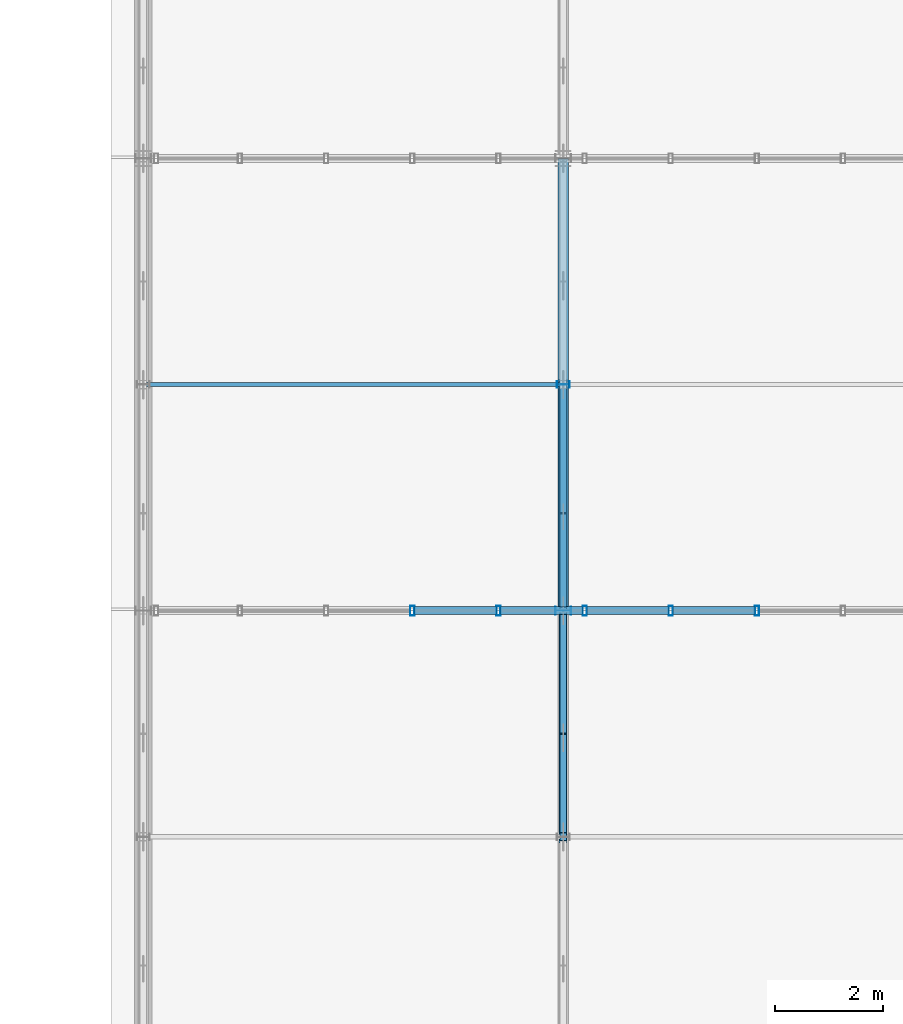
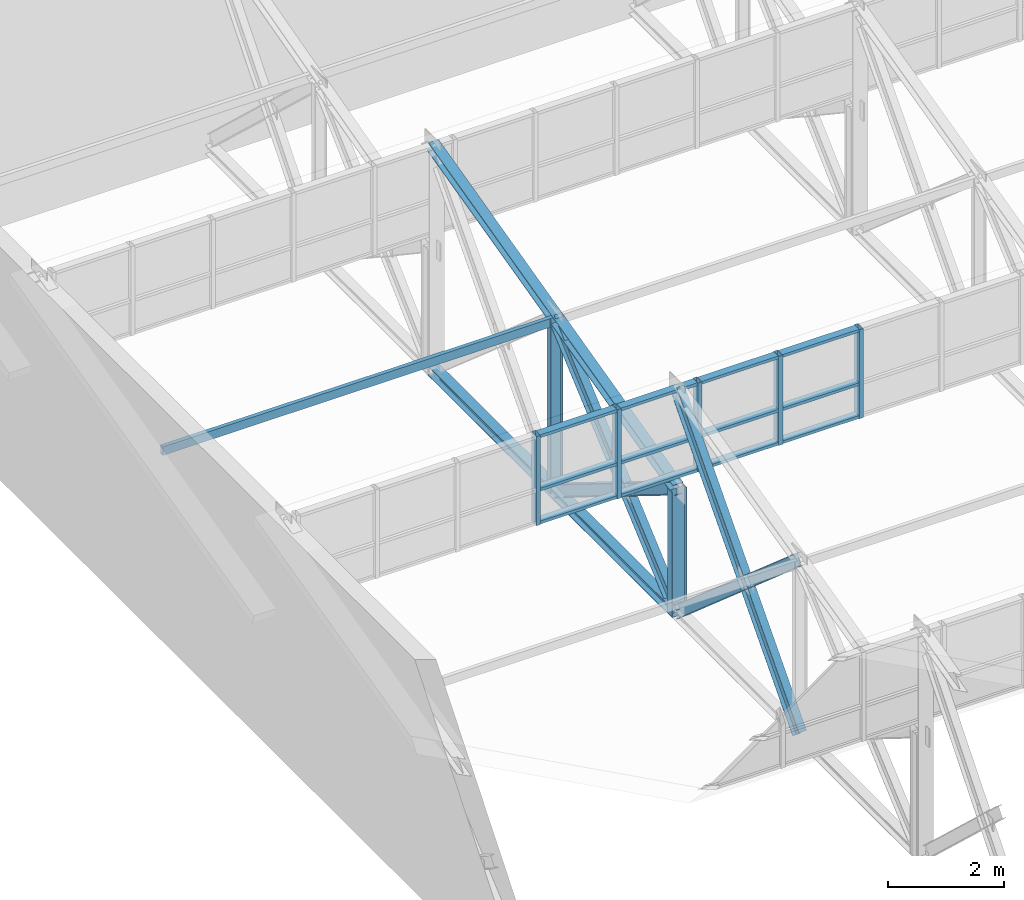
# One storey, part 72 of 123: 28 members, 1 element without a shape of its own.
"""IFC4 building model written with IfcOpenShell, lengths in metres."""

from ifc_helpers import new_model, si_unit, direction, frame, origin, origin_2d, place, context, subcontext, project, spatial, hollow_rectangle, i_section, extrude, material, layer, layer_set, material_profile, profile_set, type_object, element, aggregate, save


model = new_model("IFC4")

# Units and contexts
model_context = context("Model", 3, precision=1e-05, world=origin(), true_north=direction((0.0, 1.0)))
body_context = subcontext(model_context, "Body", "Model", "MODEL_VIEW")
ifc_project = project(units=[si_unit("LENGTHUNIT", "METRE"), si_unit("AREAUNIT", "SQUARE_METRE"), si_unit("VOLUMEUNIT", "CUBIC_METRE"), si_unit("PLANEANGLEUNIT", "RADIAN"), si_unit("MASSUNIT", "GRAM", prefix="KILO")], contexts=[model_context])

# Site, building, storey
site_placement = place(None, origin())
site = spatial("IfcSite", under=ifc_project, at=site_placement, CompositionType="ELEMENT")
building_placement = place(site_placement, origin())
building = spatial("IfcBuilding", under=site, at=building_placement, Name="Zayran Congress Hotel", CompositionType="ELEMENT")
storey_placement = place(building_placement, frame((0.0, 0.0, 15.0)))
storey = spatial("IfcBuildingStorey", under=building, at=storey_placement, Name="L03", CompositionType="ELEMENT", Elevation=15.0)

# Members
ifc_material_1 = material(Name="Steel S355", Category="steel")
ifc_material_profile_1 = material_profile(ifc_material_1, i_section(OverallWidth=0.199951171875, OverallDepth=0.199951171875, WebThickness=0.009033203125, FlangeThickness=0.014892578125, at=origin_2d()), Name="HEB 200")
ifc_profile_set_1 = profile_set([ifc_material_profile_1], Name="Steel S355")
member_type_1 = type_object("IfcMemberType", Name="TP-TR-CH2", PredefinedType="CHORD", material=ifc_profile_set_1)
member_1_placement = place(storey_placement, frame((159.60009765625, 25.60009765625, 0.0), z_axis=(0.0, 1.0, 0.0), x_axis=(-1.0, 0.0, 0.0)))
element("IfcMember", 1, at=member_1_placement, inside=storey, type_object=member_type_1, Name="Sawtooth Truss Bottom Chord 694", PredefinedType="CHORD", context=body_context, shape_type="SweptSolid", body=[
    extrude(i_section(OverallWidth=0.199951171875, OverallDepth=0.199951171875, WebThickness=0.009033203125, FlangeThickness=0.014892578125, at=origin_2d()), origin(), (0.0, 0.0, 1.0), 8.39990234375),
])
member_2_placement = place(storey_placement, frame((159.60009765625, 25.60009765625, 2.60009765625), z_axis=(0.0, 0.970298236919, 0.241911825737), x_axis=(-1.0, 0.0, 0.0)))
element("IfcMember", 2, at=member_2_placement, inside=storey, type_object=member_type_1, Name="Sawtooth Truss Top Chord 695", PredefinedType="CHORD", context=body_context, shape_type="SweptSolid", body=[
    extrude(i_section(OverallWidth=0.199951171875, OverallDepth=0.199951171875, WebThickness=0.009033203125, FlangeThickness=0.014892578125, at=origin_2d()), origin(), (0.0, 0.0, 1.0), 8.656982421875),
])
ifc_material_profile_2 = material_profile(ifc_material_1, i_section(OverallWidth=0.14990234375, OverallDepth=0.300048828125, WebThickness=0.007080078125, FlangeThickness=0.0107421875, at=origin_2d()), Name="IPE 300")
ifc_profile_set_2 = profile_set([ifc_material_profile_2], Name="Steel S355")
member_type_2 = type_object("IfcMemberType", Name="TP-TR-BR1", PredefinedType="BRACE", material=ifc_profile_set_2)
member_3_placement = place(storey_placement, frame((159.60009765625, 21.39990234375, 0.0), z_axis=(0.0, 0.66679485947, 0.745241313525), x_axis=(-1.0, 0.0, 0.0)))
element("IfcMember", 3, at=member_3_placement, inside=storey, type_object=member_type_2, Name="Sawtooth Truss Diagonal Bay2 134", PredefinedType="BRACE", context=body_context, shape_type="SweptSolid", body=[
    extrude(i_section(OverallWidth=0.14990234375, OverallDepth=0.300048828125, WebThickness=0.007080078125, FlangeThickness=0.0107421875, at=origin_2d()), origin(), (0.0, 0.0, 1.0), 6.299072265625),
])
member_4_placement = place(storey_placement, frame((159.60009765625, 25.60009765625, 0.0), z_axis=(0.0, 0.755042838954, 0.655675461904), x_axis=(-1.0, 0.0, 0.0)))
element("IfcMember", 4, at=member_4_placement, inside=storey, type_object=member_type_2, Name="Sawtooth Truss Diagonal 696", PredefinedType="BRACE", context=body_context, shape_type="SweptSolid", body=[
    extrude(i_section(OverallWidth=0.14990234375, OverallDepth=0.300048828125, WebThickness=0.007080078125, FlangeThickness=0.0107421875, at=origin_2d()), origin(), (0.0, 0.0, 1.0), 5.5625),
])
member_5_placement = place(storey_placement, frame((159.60009765625, 25.60009765625, 0.0), z_axis=(0.0, 0.0, 1.0), x_axis=(0.0, 1.0, 0.0)))
element("IfcMember", 5, at=member_5_placement, inside=storey, type_object=member_type_2, Name="TRV-01 Sawtooth Truss Strut", PredefinedType="BRACE", context=body_context, shape_type="SweptSolid", body=[
    extrude(i_section(OverallWidth=0.14990234375, OverallDepth=0.300048828125, WebThickness=0.007080078125, FlangeThickness=0.0107421875, at=origin_2d()), origin(), (0.0, 0.0, 1.0), 2.60009765625),
])
ifc_material_profile_3 = material_profile(ifc_material_1, i_section(OverallWidth=0.1201171875, OverallDepth=0.239990234375, WebThickness=0.006103515625, FlangeThickness=0.009765625, at=origin_2d()), Name="IPE 240")
ifc_profile_set_3 = profile_set([ifc_material_profile_3], Name="Steel S355")
member_type_3 = type_object("IfcMemberType", Name="TP-TR-BR2", PredefinedType="BRACE", material=ifc_profile_set_3)
member_6_placement = place(storey_placement, frame((159.60009765625, 21.39990234375, 3.647216796875), z_axis=(0.0, 0.755098908139, -0.655610889878), x_axis=(-1.0, 0.0, 0.0)))
element("IfcMember", 6, at=member_6_placement, inside=storey, type_object=member_type_3, Name="Sawtooth Truss Counter Diagonal Bay2 Upper 135", PredefinedType="BRACE", context=body_context, shape_type="SweptSolid", body=[
    extrude(i_section(OverallWidth=0.1201171875, OverallDepth=0.239990234375, WebThickness=0.006103515625, FlangeThickness=0.009765625, at=origin_2d()), origin(), (0.0, 0.0, 1.0), 2.417236328125),
])
member_7_placement = place(storey_placement, frame((159.60009765625, 23.247802734375, 2.042724609375), z_axis=(0.0, 0.755042306738, -0.655676074777), x_axis=(-1.0, 0.0, 0.0)))
element("IfcMember", 7, at=member_7_placement, inside=storey, type_object=member_type_3, Name="Sawtooth Truss Counter Diagonal Bay2 Lower 136", PredefinedType="BRACE", context=body_context, shape_type="SweptSolid", body=[
    extrude(i_section(OverallWidth=0.1201171875, OverallDepth=0.239990234375, WebThickness=0.006103515625, FlangeThickness=0.009765625, at=origin_2d()), origin(), (0.0, 0.0, 1.0), 3.115478515625),
])
member_8_placement = place(storey_placement, frame((159.60009765625, 25.60009765625, 2.60009765625), z_axis=(0.0, 0.850242199596, -0.526391681191), x_axis=(-1.0, 0.0, 0.0)))
element("IfcMember", 8, at=member_8_placement, inside=storey, type_object=member_type_3, Name="Sawtooth Truss Counter Diagonal Upper 697", PredefinedType="BRACE", context=body_context, shape_type="SweptSolid", body=[
    extrude(i_section(OverallWidth=0.1201171875, OverallDepth=0.239990234375, WebThickness=0.006103515625, FlangeThickness=0.009765625, at=origin_2d()), origin(), (0.0, 0.0, 1.0), 2.040771484375),
])
member_9_placement = place(storey_placement, frame((159.60009765625, 27.360595703125, 1.510009765625), z_axis=(0.0, 0.850285094949, -0.526322389137), x_axis=(-1.0, 0.0, 0.0)))
element("IfcMember", 9, at=member_9_placement, inside=storey, type_object=member_type_3, Name="Sawtooth Truss Counter Diagonal Lower 137", PredefinedType="BRACE", context=body_context, shape_type="SweptSolid", body=[
    extrude(i_section(OverallWidth=0.1201171875, OverallDepth=0.239990234375, WebThickness=0.006103515625, FlangeThickness=0.009765625, at=origin_2d()), origin(), (0.0, 0.0, 1.0), 2.868896484375),
])
member_10_placement = place(storey_placement, frame((159.60009765625, 29.800048828125, 0.0), z_axis=(0.0, 0.0, 1.0), x_axis=(0.0, 1.0, 0.0)))
element("IfcMember", 10, at=member_10_placement, inside=storey, type_object=member_type_3, Name="TRV-01 Sawtooth Truss Strut", PredefinedType="BRACE", context=body_context, shape_type="SweptSolid", body=[
    extrude(i_section(OverallWidth=0.1201171875, OverallDepth=0.239990234375, WebThickness=0.006103515625, FlangeThickness=0.009765625, at=origin_2d()), origin(), (0.0, 0.0, 1.0), 3.647216796875),
])
ifc_material_profile_4 = material_profile(ifc_material_1, hollow_rectangle(XDim=0.080078125, YDim=0.179931640625, WallThickness=0.0048828125, at=origin_2d()), Name="RHS 180x80x5")
ifc_profile_set_4 = profile_set([ifc_material_profile_4], Name="Steel S355")
member_type_4 = type_object("IfcMemberType", Name="TP-PR-02", PredefinedType="PURLIN", material=ifc_profile_set_4)
member_11_placement = place(storey_placement, frame((151.800048828125, 29.800048828125, 3.572265625), z_axis=(1.0, 0.0, 0.0), x_axis=(0.0, 1.0, 0.0)))
element("IfcMember", 11, at=member_11_placement, inside=storey, type_object=member_type_4, Name="MEM-PR-V3-0209", PredefinedType="PURLIN", context=body_context, shape_type="SweptSolid", body=[
    extrude(hollow_rectangle(XDim=0.080078125, YDim=0.179931640625, WallThickness=0.0048828125, at=origin_2d()), origin(), (0.0, 0.0, 1.0), 7.800048828125),
])

# Curtain wall, members
ifc_material_2 = material(Name="Anodised aluminium and low-E insulated glass", Category="aluminium")
ifc_layer = layer(ifc_material_2, 0.179931640625)
ifc_layer_set = layer_set([ifc_layer], Name="Anodised aluminium and low-E insulated glass")
curtain_wall_type = type_object("IfcCurtainWallType", Name="CW-V3SAW-L03-CW-V31-32000-1870", PredefinedType="USERDEFINED", material=ifc_layer_set)
curtain_wall_placement = place(storey_placement, origin())
curtain_wall = element("IfcCurtainWall", 12, at=curtain_wall_placement, inside=storey, type_object=curtain_wall_type, Name="CW-V3SAW-2", ObjectType="CURTAIN WALL", PredefinedType="USERDEFINED")
ifc_material_3 = material(Name="Anodised aluminium framing", Category="aluminium")
ifc_material_profile_5 = material_profile(ifc_material_3, hollow_rectangle(XDim=0.080078125, YDim=0.179931640625, WallThickness=0.0048828125, at=origin_2d()), Name="RHS 180x80x5")
ifc_profile_set_5 = profile_set([ifc_material_profile_5], Name="Anodised aluminium framing")
member_type_5 = type_object("IfcMemberType", Name="TP-CWM-01", PredefinedType="MULLION", material=ifc_profile_set_5)
member_12_placement = place(storey_placement, frame((163.199951171875, 25.60009765625, 2.85009765625), z_axis=(0.0, 0.0, 1.0), x_axis=(1.0, 0.0, 0.0)))
member_12 = element("IfcMember", 13, at=member_12_placement, type_object=member_type_5, Name="CW-V3SAW-2-M13", PredefinedType="MULLION", context=body_context, shape_type="SweptSolid", body=[
    extrude(hollow_rectangle(XDim=0.080078125, YDim=0.179931640625, WallThickness=0.0048828125, at=origin_2d()), origin(), (0.0, 0.0, 1.0), 1.869873046875),
])
member_13_placement = place(storey_placement, frame((161.60009765625, 25.60009765625, 2.85009765625), z_axis=(0.0, 0.0, 1.0), x_axis=(1.0, 0.0, 0.0)))
member_13 = element("IfcMember", 14, at=member_13_placement, type_object=member_type_5, Name="CW-V3SAW-2-M14", PredefinedType="MULLION", context=body_context, shape_type="SweptSolid", body=[
    extrude(hollow_rectangle(XDim=0.080078125, YDim=0.179931640625, WallThickness=0.0048828125, at=origin_2d()), origin(), (0.0, 0.0, 1.0), 1.869873046875),
])
member_14_placement = place(storey_placement, frame((160.0, 25.60009765625, 2.85009765625), z_axis=(0.0, 0.0, 1.0), x_axis=(1.0, 0.0, 0.0)))
member_14 = element("IfcMember", 15, at=member_14_placement, type_object=member_type_5, Name="CW-V3SAW-2-M15", PredefinedType="MULLION", context=body_context, shape_type="SweptSolid", body=[
    extrude(hollow_rectangle(XDim=0.080078125, YDim=0.179931640625, WallThickness=0.0048828125, at=origin_2d()), origin(), (0.0, 0.0, 1.0), 1.869873046875),
])
member_15_placement = place(storey_placement, frame((158.39990234375, 25.60009765625, 2.85009765625), z_axis=(0.0, 0.0, 1.0), x_axis=(1.0, 0.0, 0.0)))
member_15 = element("IfcMember", 16, at=member_15_placement, type_object=member_type_5, Name="CW-V3SAW-2-M16", PredefinedType="MULLION", context=body_context, shape_type="SweptSolid", body=[
    extrude(hollow_rectangle(XDim=0.080078125, YDim=0.179931640625, WallThickness=0.0048828125, at=origin_2d()), origin(), (0.0, 0.0, 1.0), 1.869873046875),
])
member_16_placement = place(storey_placement, frame((156.800048828125, 25.60009765625, 2.85009765625), z_axis=(0.0, 0.0, 1.0), x_axis=(1.0, 0.0, 0.0)))
member_16 = element("IfcMember", 17, at=member_16_placement, type_object=member_type_5, Name="CW-V3SAW-2-M17", PredefinedType="MULLION", context=body_context, shape_type="SweptSolid", body=[
    extrude(hollow_rectangle(XDim=0.080078125, YDim=0.179931640625, WallThickness=0.0048828125, at=origin_2d()), origin(), (0.0, 0.0, 1.0), 1.869873046875),
])
ifc_material_profile_6 = material_profile(ifc_material_3, hollow_rectangle(XDim=0.06005859375, YDim=0.14990234375, WallThickness=0.00390625, at=origin_2d()), Name="RHS 150x60x4")
ifc_profile_set_6 = profile_set([ifc_material_profile_6], Name="Anodised aluminium framing")
member_type_6 = type_object("IfcMemberType", Name="TP-CWT-01", PredefinedType="USERDEFINED", material=ifc_profile_set_6)
member_17_placement = place(storey_placement, frame((163.159912109375, 25.60009765625, 2.8798828125), z_axis=(-1.0, 0.0, 0.0), x_axis=(0.0, 0.0, 1.0)))
member_17 = element("IfcMember", 18, at=member_17_placement, type_object=member_type_6, Name="CW-V3SAW-2-T13-0", ObjectType="TRANSOM", PredefinedType="USERDEFINED", context=body_context, shape_type="SweptSolid", body=[
    extrude(hollow_rectangle(XDim=0.06005859375, YDim=0.14990234375, WallThickness=0.00390625, at=origin_2d()), origin(), (0.0, 0.0, 1.0), 1.52001953125),
])
member_18_placement = place(storey_placement, frame((163.159912109375, 25.60009765625, 3.570068359375), z_axis=(-1.0, 0.0, 0.0), x_axis=(0.0, 0.0, 1.0)))
member_18 = element("IfcMember", 19, at=member_18_placement, type_object=member_type_6, Name="CW-V3SAW-2-T13-1", ObjectType="TRANSOM", PredefinedType="USERDEFINED", context=body_context, shape_type="SweptSolid", body=[
    extrude(hollow_rectangle(XDim=0.06005859375, YDim=0.14990234375, WallThickness=0.00390625, at=origin_2d()), origin(), (0.0, 0.0, 1.0), 1.52001953125),
])
member_19_placement = place(storey_placement, frame((163.159912109375, 25.60009765625, 4.68994140625), z_axis=(-1.0, 0.0, 0.0), x_axis=(0.0, 0.0, 1.0)))
member_19 = element("IfcMember", 20, at=member_19_placement, type_object=member_type_6, Name="CW-V3SAW-2-T13-2", ObjectType="TRANSOM", PredefinedType="USERDEFINED", context=body_context, shape_type="SweptSolid", body=[
    extrude(hollow_rectangle(XDim=0.06005859375, YDim=0.14990234375, WallThickness=0.00390625, at=origin_2d()), origin(), (0.0, 0.0, 1.0), 1.52001953125),
])
member_20_placement = place(storey_placement, frame((161.56005859375, 25.60009765625, 2.8798828125), z_axis=(-1.0, 0.0, 0.0), x_axis=(0.0, 0.0, 1.0)))
member_20 = element("IfcMember", 21, at=member_20_placement, type_object=member_type_6, Name="CW-V3SAW-2-T14-0", ObjectType="TRANSOM", PredefinedType="USERDEFINED", context=body_context, shape_type="SweptSolid", body=[
    extrude(hollow_rectangle(XDim=0.06005859375, YDim=0.14990234375, WallThickness=0.00390625, at=origin_2d()), origin(), (0.0, 0.0, 1.0), 1.52001953125),
])
member_21_placement = place(storey_placement, frame((161.56005859375, 25.60009765625, 3.570068359375), z_axis=(-1.0, 0.0, 0.0), x_axis=(0.0, 0.0, 1.0)))
member_21 = element("IfcMember", 22, at=member_21_placement, type_object=member_type_6, Name="CW-V3SAW-2-T14-1", ObjectType="TRANSOM", PredefinedType="USERDEFINED", context=body_context, shape_type="SweptSolid", body=[
    extrude(hollow_rectangle(XDim=0.06005859375, YDim=0.14990234375, WallThickness=0.00390625, at=origin_2d()), origin(), (0.0, 0.0, 1.0), 1.52001953125),
])
member_22_placement = place(storey_placement, frame((161.56005859375, 25.60009765625, 4.68994140625), z_axis=(-1.0, 0.0, 0.0), x_axis=(0.0, 0.0, 1.0)))
member_22 = element("IfcMember", 23, at=member_22_placement, type_object=member_type_6, Name="CW-V3SAW-2-T14-2", ObjectType="TRANSOM", PredefinedType="USERDEFINED", context=body_context, shape_type="SweptSolid", body=[
    extrude(hollow_rectangle(XDim=0.06005859375, YDim=0.14990234375, WallThickness=0.00390625, at=origin_2d()), origin(), (0.0, 0.0, 1.0), 1.52001953125),
])
member_23_placement = place(storey_placement, frame((159.9599609375, 25.60009765625, 2.8798828125), z_axis=(-1.0, 0.0, 0.0), x_axis=(0.0, 0.0, 1.0)))
member_23 = element("IfcMember", 24, at=member_23_placement, type_object=member_type_6, Name="CW-V3SAW-2-T15-0", ObjectType="TRANSOM", PredefinedType="USERDEFINED", context=body_context, shape_type="SweptSolid", body=[
    extrude(hollow_rectangle(XDim=0.06005859375, YDim=0.14990234375, WallThickness=0.00390625, at=origin_2d()), origin(), (0.0, 0.0, 1.0), 1.52001953125),
])
member_24_placement = place(storey_placement, frame((159.9599609375, 25.60009765625, 3.570068359375), z_axis=(-1.0, 0.0, 0.0), x_axis=(0.0, 0.0, 1.0)))
member_24 = element("IfcMember", 25, at=member_24_placement, type_object=member_type_6, Name="CW-V3SAW-2-T15-1", ObjectType="TRANSOM", PredefinedType="USERDEFINED", context=body_context, shape_type="SweptSolid", body=[
    extrude(hollow_rectangle(XDim=0.06005859375, YDim=0.14990234375, WallThickness=0.00390625, at=origin_2d()), origin(), (0.0, 0.0, 1.0), 1.52001953125),
])
member_25_placement = place(storey_placement, frame((159.9599609375, 25.60009765625, 4.68994140625), z_axis=(-1.0, 0.0, 0.0), x_axis=(0.0, 0.0, 1.0)))
member_25 = element("IfcMember", 26, at=member_25_placement, type_object=member_type_6, Name="CW-V3SAW-2-T15-2", ObjectType="TRANSOM", PredefinedType="USERDEFINED", context=body_context, shape_type="SweptSolid", body=[
    extrude(hollow_rectangle(XDim=0.06005859375, YDim=0.14990234375, WallThickness=0.00390625, at=origin_2d()), origin(), (0.0, 0.0, 1.0), 1.52001953125),
])
member_26_placement = place(storey_placement, frame((158.360107421875, 25.60009765625, 2.8798828125), z_axis=(-1.0, 0.0, 0.0), x_axis=(0.0, 0.0, 1.0)))
member_26 = element("IfcMember", 27, at=member_26_placement, type_object=member_type_6, Name="CW-V3SAW-2-T16-0", ObjectType="TRANSOM", PredefinedType="USERDEFINED", context=body_context, shape_type="SweptSolid", body=[
    extrude(hollow_rectangle(XDim=0.06005859375, YDim=0.14990234375, WallThickness=0.00390625, at=origin_2d()), origin(), (0.0, 0.0, 1.0), 1.52001953125),
])
member_27_placement = place(storey_placement, frame((158.360107421875, 25.60009765625, 3.570068359375), z_axis=(-1.0, 0.0, 0.0), x_axis=(0.0, 0.0, 1.0)))
member_27 = element("IfcMember", 28, at=member_27_placement, type_object=member_type_6, Name="CW-V3SAW-2-T16-1", ObjectType="TRANSOM", PredefinedType="USERDEFINED", context=body_context, shape_type="SweptSolid", body=[
    extrude(hollow_rectangle(XDim=0.06005859375, YDim=0.14990234375, WallThickness=0.00390625, at=origin_2d()), origin(), (0.0, 0.0, 1.0), 1.52001953125),
])
member_28_placement = place(storey_placement, frame((158.360107421875, 25.60009765625, 4.68994140625), z_axis=(-1.0, 0.0, 0.0), x_axis=(0.0, 0.0, 1.0)))
member_28 = element("IfcMember", 29, at=member_28_placement, type_object=member_type_6, Name="CW-V3SAW-2-T16-2", ObjectType="TRANSOM", PredefinedType="USERDEFINED", context=body_context, shape_type="SweptSolid", body=[
    extrude(hollow_rectangle(XDim=0.06005859375, YDim=0.14990234375, WallThickness=0.00390625, at=origin_2d()), origin(), (0.0, 0.0, 1.0), 1.52001953125),
])
aggregate(curtain_wall, [member_12, member_13, member_14, member_15, member_16, member_17, member_18, member_19, member_20, member_21, member_22, member_23, member_24, member_25, member_26, member_27, member_28])

save(model, "model.ifc")
